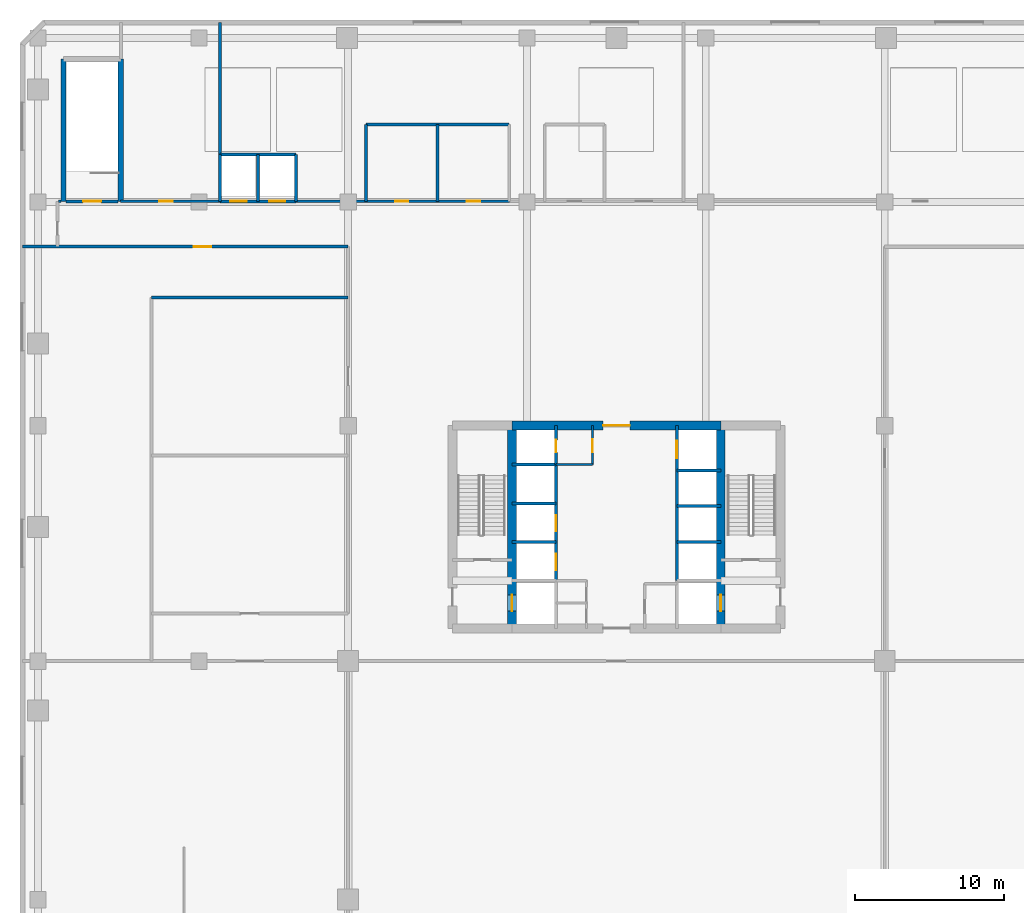
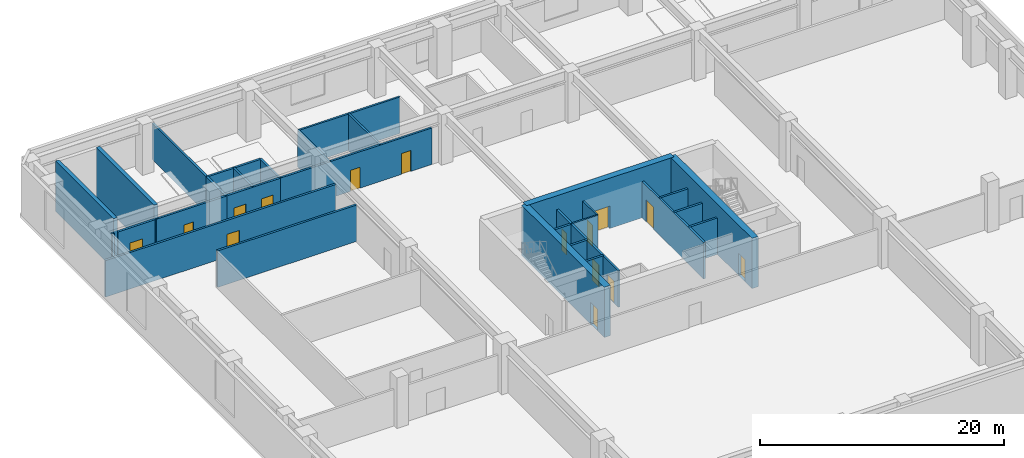
# One storey, part 6 of 12: 31 walls, 15 doors, 15 openings.
"""IFC4 building model written with IfcOpenShell, lengths in metres."""

from ifc_helpers import new_model, si_unit, direction, frame, frame_2d, origin, place, context, subcontext, project, spatial, rectangle, extrude, material, layer, layer_set, type_object, element, fill, save


model = new_model("IFC4")

# Units and contexts
model_context = context("Model", 3, precision=1e-05, world=origin(), true_north=direction((0.0, 1.0)))
body_context = subcontext(model_context, "Body", "Model", "MODEL_VIEW")
ifc_project = project(units=[si_unit("LENGTHUNIT", "METRE"), si_unit("AREAUNIT", "SQUARE_METRE"), si_unit("VOLUMEUNIT", "CUBIC_METRE"), si_unit("PLANEANGLEUNIT", "RADIAN"), si_unit("MASSUNIT", "GRAM", prefix="KILO")], contexts=[model_context])

# Site, building, storey
site_placement = place(None, origin())
site = spatial("IfcSite", under=ifc_project, at=site_placement, CompositionType="ELEMENT")
building_placement = place(site_placement, origin())
building = spatial("IfcBuilding", under=site, at=building_placement, Name="Sarneth Arch Tower", CompositionType="ELEMENT")
storey_placement = place(building_placement, frame((0.0, 0.0, 16.800048828125)))
storey = spatial("IfcBuildingStorey", under=building, at=storey_placement, Name="L03", CompositionType="ELEMENT", Elevation=16.800048828125)

# Walls
ifc_material_1 = material(Name="Concrete C50/60", Category="concrete")
ifc_layer_1 = layer(ifc_material_1, 0.35009765625)
ifc_layer_set_1 = layer_set([ifc_layer_1], Name="Concrete C50/60")
wall_type_1 = type_object("IfcWallType", Name="WALL-CORE-350", PredefinedType="SHEAR", material=ifc_layer_set_1)
for number, where, z_axis, x_axis, name in (
    (1, (10.89990234375, 63.85009765625, 0.0), (0.0, 0.0, 1.0), (0.0, 1.0, 0.0), "L03 Podium stair core wall STP1-W"),
    (2, (14.75, 63.85009765625, 0.0), (0.0, 0.0, 1.0), (0.0, 1.0, 0.0), "L03 Podium stair core wall STP1-E"),
):
    element("IfcWall", number, at=place(storey_placement, frame(where, z_axis=z_axis, x_axis=x_axis)), inside=storey, type_object=wall_type_1, Name=name, PredefinedType="SHEAR", context=body_context, shape_type="SweptSolid", body=[
        extrude(rectangle(XDim=9.5498046875, YDim=0.35009765625, at=frame_2d((4.77490234375, 0.0))), origin(), (0.0, 0.0, 1.0), 5.050048828125),
    ])

# Wall, opening, door
ifc_material_2 = material(Name="Concrete C60/75", Category="concrete")
ifc_layer_2 = layer(ifc_material_2, 0.60009765625)
ifc_layer_set_2 = layer_set([ifc_layer_2], Name="Concrete C60/75")
wall_type_2 = type_object("IfcWallType", Name="WALL-CORE-600", PredefinedType="SHEAR", material=ifc_layer_set_2)
wall_1_placement = place(storey_placement, frame((41.0, 48.800048828125, 0.0), z_axis=(0.0, 0.0, 1.0), x_axis=(1.0, 0.0, 0.0)))
wall_1 = element("IfcWall", 3, at=wall_1_placement, inside=storey, type_object=wall_type_2, Name="L03 Core shear wall N-M", PredefinedType="SHEAR", context=body_context, shape_type="SweptSolid", body=[
    extrude(rectangle(XDim=14.0, YDim=0.60009765625, at=frame_2d((7.0, 0.0))), origin(), (0.0, 0.0, 1.0), 5.050048828125),
])
opening_1_placement = place(wall_1_placement, frame((6.10009765625, 0.0, 0.0)))
opening_1 = element("IfcOpeningElement", 4, at=opening_1_placement, cuts=wall_1, Name="Opening FD-01", PredefinedType="OPENING", context=body_context, shape_type="SweptSolid", body=[
    extrude(rectangle(XDim=1.800048828125, YDim=2.25, at=frame_2d((0.89990234375, 1.125))), frame((0.0, 0.31005859375, 0.0), z_axis=(0.0, -1.0, 0.0), x_axis=(1.0, 0.0, 0.0)), (0.0, 0.0, 1.0), 0.6201171875),
])
ifc_material_3 = material(Name="Galvanised Steel S275 fire door set", Category="steel")
door_type_1 = type_object("IfcDoorType", Name="DR-FD90-1800", OperationType="DOUBLE_DOOR_SINGLE_SWING", PredefinedType="DOOR", material=ifc_material_3)
door_1_placement = place(opening_1_placement, origin())
door_1 = element("IfcDoor", 5, at=door_1_placement, inside=storey, type_object=door_type_1, Name="L03 Central lift lobby north door", OperationType="DOUBLE_DOOR_SINGLE_SWING", OverallHeight=2.25, OverallWidth=1.800048828125, PredefinedType="DOOR", context=body_context, shape_type="SweptSolid", body=[
    extrude(rectangle(XDim=1.800048828125, YDim=2.25, at=frame_2d((0.89990234375, 1.125))), frame((0.0, 0.02490234375, 0.0), z_axis=(0.0, -1.0, 0.0), x_axis=(1.0, 0.0, 0.0)), (0.0, 0.0, 1.0), 0.050048828125),
])
fill(opening_1, door_1)

wall_2_placement = place(storey_placement, frame((41.0, 35.199951171875, 0.0), z_axis=(0.0, 0.0, 1.0), x_axis=(0.0, 1.0, 0.0)))
wall_2 = element("IfcWall", 6, at=wall_2_placement, inside=storey, type_object=wall_type_2, Name="L03 Core shear wall WEB-W", PredefinedType="SHEAR", context=body_context, shape_type="SweptSolid", body=[
    extrude(rectangle(XDim=13.60009765625, YDim=0.60009765625, at=frame_2d((6.800048828125, 0.0))), origin(), (0.0, 0.0, 1.0), 5.050048828125),
])
opening_2_placement = place(wall_2_placement, frame((1.14990234375, 0.0, 0.0)))
opening_2 = element("IfcOpeningElement", 7, at=opening_2_placement, cuts=wall_2, Name="Opening LD-1", PredefinedType="OPENING", context=body_context, shape_type="SweptSolid", body=[
    extrude(rectangle(XDim=1.10009765625, YDim=2.199951171875, at=frame_2d((0.550048828125, 1.10009765625))), frame((0.0, 0.31005859375, 0.0), z_axis=(0.0, -1.0, 0.0), x_axis=(1.0, 0.0, 0.0)), (0.0, 0.0, 1.0), 0.6201171875),
])
ifc_material_4 = material(Name="Brushed Stainless Steel 304 lift landing door", Category="steel")
door_type_2 = type_object("IfcDoorType", Name="DR-LIFT-SLIDE-1100", OperationType="SLIDING_TO_LEFT", PredefinedType="DOOR", material=ifc_material_4)
door_2_placement = place(opening_2_placement, origin())
door_2 = element("IfcDoor", 8, at=door_2_placement, inside=storey, type_object=door_type_2, Name="L03 Firefighting lift landing door FL-1", OperationType="SLIDING_TO_LEFT", OverallHeight=2.199951171875, OverallWidth=1.10009765625, PredefinedType="DOOR", context=body_context, shape_type="SweptSolid", body=[
    extrude(rectangle(XDim=1.10009765625, YDim=2.199951171875, at=frame_2d((0.550048828125, 1.10009765625))), frame((0.0, 0.02490234375, 0.0), z_axis=(0.0, -1.0, 0.0), x_axis=(1.0, 0.0, 0.0)), (0.0, 0.0, 1.0), 0.050048828125),
])
fill(opening_2, door_2)

wall_3_placement = place(storey_placement, frame((55.0, 35.199951171875, 0.0), z_axis=(0.0, 0.0, 1.0), x_axis=(0.0, 1.0, 0.0)))
wall_3 = element("IfcWall", 9, at=wall_3_placement, inside=storey, type_object=wall_type_2, Name="L03 Core shear wall WEB-E", PredefinedType="SHEAR", context=body_context, shape_type="SweptSolid", body=[
    extrude(rectangle(XDim=13.60009765625, YDim=0.60009765625, at=frame_2d((6.800048828125, 0.0))), origin(), (0.0, 0.0, 1.0), 5.050048828125),
])
opening_3_placement = place(wall_3_placement, frame((1.14990234375, 0.0, 0.0)))
opening_3 = element("IfcOpeningElement", 10, at=opening_3_placement, cuts=wall_3, Name="Opening LD-1", PredefinedType="OPENING", context=body_context, shape_type="SweptSolid", body=[
    extrude(rectangle(XDim=1.10009765625, YDim=2.199951171875, at=frame_2d((0.550048828125, 1.10009765625))), frame((0.0, 0.31005859375, 0.0), z_axis=(0.0, -1.0, 0.0), x_axis=(1.0, 0.0, 0.0)), (0.0, 0.0, 1.0), 0.6201171875),
])
door_3_placement = place(opening_3_placement, origin())
door_3 = element("IfcDoor", 11, at=door_3_placement, inside=storey, type_object=door_type_2, Name="L03 Firefighting lift landing door FL-2", OperationType="SLIDING_TO_RIGHT", OverallHeight=2.199951171875, OverallWidth=1.10009765625, PredefinedType="DOOR", context=body_context, shape_type="SweptSolid", body=[
    extrude(rectangle(XDim=1.10009765625, YDim=2.199951171875, at=frame_2d((0.550048828125, 1.10009765625))), frame((0.0, 0.02490234375, 0.0), z_axis=(0.0, -1.0, 0.0), x_axis=(1.0, 0.0, 0.0)), (0.0, 0.0, 1.0), 0.050048828125),
])
fill(opening_3, door_3)

ifc_material_5 = material(Name="Double steel-stud corridor fire wall", Category="steel")
ifc_layer_3 = layer(ifc_material_5, 0.18994140625)
ifc_layer_set_3 = layer_set([ifc_layer_3], Name="Double steel-stud corridor fire wall")
wall_type_3 = type_object("IfcWallType", Name="WALL-CORR-190", PredefinedType="PARTITIONING", material=ifc_layer_set_3)
wall_4_placement = place(storey_placement, frame((14.718017578125, 63.85009765625, 0.0), z_axis=(0.0, 0.0, 1.0), x_axis=(1.0, 0.0, 0.0)))
wall_4 = element("IfcWall", 12, at=wall_4_placement, inside=storey, type_object=wall_type_3, Name="L03 Interior partition W-L03-TP-018", PredefinedType="PARTITIONING", context=body_context, shape_type="SweptSolid", body=[
    extrude(rectangle(XDim=6.7138671875, YDim=0.18994140625, at=frame_2d((3.35693359375, 0.0))), origin(), (0.0, 0.0, 1.0), 3.64990234375),
])
opening_4_placement = place(wall_4_placement, frame((2.60693359375, 0.0, 0.0)))
opening_4 = element("IfcOpeningElement", 13, at=opening_4_placement, cuts=wall_4, Name="Opening FD-10", PredefinedType="OPENING", context=body_context, shape_type="SweptSolid", body=[
    extrude(rectangle(XDim=0.89990234375, YDim=2.14990234375, at=frame_2d((0.449951171875, 1.074951171875))), frame((0.0, 0.10498046875, 0.0), z_axis=(0.0, -1.0, 0.0), x_axis=(1.0, 0.0, 0.0)), (0.0, 0.0, 1.0), 0.2099609375),
])
ifc_material_6 = material(Name="Galvanised Steel S275 riser/service fire door", Category="steel")
door_type_3 = type_object("IfcDoorType", Name="DR-FD60-900", OperationType="SINGLE_SWING_LEFT", PredefinedType="DOOR", material=ifc_material_6)
door_4_placement = place(opening_4_placement, origin())
door_4 = element("IfcDoor", 14, at=door_4_placement, inside=storey, type_object=door_type_3, Name="L03 Interior door DR-L03-STRW", OperationType="SINGLE_SWING_RIGHT", OverallHeight=2.14990234375, OverallWidth=0.89990234375, PredefinedType="DOOR", context=body_context, shape_type="SweptSolid", body=[
    extrude(rectangle(XDim=0.89990234375, YDim=2.14990234375, at=frame_2d((0.449951171875, 1.074951171875))), frame((0.0, 0.02490234375, 0.0), z_axis=(0.0, -1.0, 0.0), x_axis=(1.0, 0.0, 0.0)), (0.0, 0.0, 1.0), 0.050048828125),
])
fill(opening_4, door_4)

# Wall, openings, doors
wall_5_placement = place(storey_placement, frame((26.468017578125, 63.85009765625, 0.0), z_axis=(0.0, 0.0, 1.0), x_axis=(1.0, 0.0, 0.0)))
wall_5 = element("IfcWall", 15, at=wall_5_placement, inside=storey, type_object=wall_type_3, Name="L03 Interior partition W-L03-TP-011", PredefinedType="PARTITIONING", context=body_context, shape_type="SweptSolid", body=[
    extrude(rectangle(XDim=14.364013671875, YDim=0.18994140625, at=frame_2d((7.18212890625, 0.0))), origin(), (0.0, 0.0, 1.0), 3.64990234375),
])
opening_5_placement = place(wall_5_placement, frame((6.681884765625, 0.0, 0.0)))
opening_5 = element("IfcOpeningElement", 16, at=opening_5_placement, cuts=wall_5, Name="Opening ID-01", PredefinedType="OPENING", context=body_context, shape_type="SweptSolid", body=[
    extrude(rectangle(XDim=0.89990234375, YDim=2.10009765625, at=frame_2d((0.449951171875, 1.050048828125))), frame((0.0, 0.10498046875, 0.0), z_axis=(0.0, -1.0, 0.0), x_axis=(1.0, 0.0, 0.0)), (0.0, 0.0, 1.0), 0.2099609375),
])
opening_6_placement = place(wall_5_placement, frame((11.48193359375, 0.0, 0.0)))
opening_6 = element("IfcOpeningElement", 17, at=opening_6_placement, cuts=wall_5, Name="Opening ID-01", PredefinedType="OPENING", context=body_context, shape_type="SweptSolid", body=[
    extrude(rectangle(XDim=0.89990234375, YDim=2.10009765625, at=frame_2d((0.449951171875, 1.050048828125))), frame((0.0, 0.10498046875, 0.0), z_axis=(0.0, -1.0, 0.0), x_axis=(1.0, 0.0, 0.0)), (0.0, 0.0, 1.0), 0.2099609375),
])
ifc_material_7 = material(Name="Engineered hardwood flush door", Category="wood")
door_type_4 = type_object("IfcDoorType", Name="DR-INT-900", OperationType="SINGLE_SWING_LEFT", PredefinedType="DOOR", material=ifc_material_7)
door_5_placement = place(opening_5_placement, origin())
door_5 = element("IfcDoor", 18, at=door_5_placement, inside=storey, type_object=door_type_4, Name="L03 Interior door DR-L03-WCM", OperationType="SINGLE_SWING_LEFT", OverallHeight=2.10009765625, OverallWidth=0.89990234375, PredefinedType="DOOR", context=body_context, shape_type="SweptSolid", body=[
    extrude(rectangle(XDim=0.89990234375, YDim=2.10009765625, at=frame_2d((0.449951171875, 1.050048828125))), frame((0.0, 0.02490234375, 0.0), z_axis=(0.0, -1.0, 0.0), x_axis=(1.0, 0.0, 0.0)), (0.0, 0.0, 1.0), 0.050048828125),
])
fill(opening_5, door_5)
door_6_placement = place(opening_6_placement, origin())
door_6 = element("IfcDoor", 19, at=door_6_placement, inside=storey, type_object=door_type_4, Name="L03 Interior door DR-L03-WCW", OperationType="SINGLE_SWING_RIGHT", OverallHeight=2.10009765625, OverallWidth=0.89990234375, PredefinedType="DOOR", context=body_context, shape_type="SweptSolid", body=[
    extrude(rectangle(XDim=0.89990234375, YDim=2.10009765625, at=frame_2d((0.449951171875, 1.050048828125))), frame((0.0, 0.02490234375, 0.0), z_axis=(0.0, -1.0, 0.0), x_axis=(1.0, 0.0, 0.0)), (0.0, 0.0, 1.0), 0.050048828125),
])
fill(opening_6, door_6)

# Walls
wall_6_placement = place(storey_placement, frame((10.580078125, 63.85009765625, 0.0), z_axis=(0.0, 0.0, 1.0), x_axis=(1.0, 0.0, 0.0)))
element("IfcWall", 20, at=wall_6_placement, inside=storey, type_object=wall_type_3, Name="L03 Interior partition W-L03-TP-020", PredefinedType="PARTITIONING", context=body_context, shape_type="SweptSolid", body=[
    extrude(rectangle(XDim=0.159912109375, YDim=0.18994140625, at=frame_2d((0.080078125, 0.0))), origin(), (0.0, 0.0, 1.0), 3.64990234375),
])
ifc_material_8 = material(Name="Acoustic gypsum stud partition", Category="gypsum")
ifc_layer_4 = layer(ifc_material_8, 0.14990234375)
ifc_layer_set_4 = layer_set([ifc_layer_4], Name="Acoustic gypsum stud partition")
wall_type_4 = type_object("IfcWallType", Name="WALL-PART-150", PredefinedType="PARTITIONING", material=ifc_layer_set_4)
wall_7_placement = place(storey_placement, frame((43.949951171875, 46.199951171875, 0.0), z_axis=(0.0, 0.0, 1.0), x_axis=(1.0, 0.0, 0.0)))
element("IfcWall", 21, at=wall_7_placement, inside=storey, type_object=wall_type_4, Name="L03 Interior partition W-L03-CSUP3-S", PredefinedType="PARTITIONING", context=body_context, shape_type="SweptSolid", body=[
    extrude(rectangle(XDim=2.449951171875, YDim=0.14990234375, at=frame_2d((1.22509765625, 0.0))), origin(), (0.0, 0.0, 1.0), 3.64990234375),
])

# Wall, opening, door
wall_8_placement = place(storey_placement, frame((46.39990234375, 46.199951171875, 0.0), z_axis=(0.0, 0.0, 1.0), x_axis=(0.0, 1.0, 0.0)))
wall_8 = element("IfcWall", 22, at=wall_8_placement, inside=storey, type_object=wall_type_4, Name="L03 Interior partition W-L03-CSUP3-E", PredefinedType="PARTITIONING", context=body_context, shape_type="SweptSolid", body=[
    extrude(rectangle(XDim=2.60009765625, YDim=0.14990234375, at=frame_2d((1.300048828125, 0.0))), origin(), (0.0, 0.0, 1.0), 3.64990234375),
])
opening_7_placement = place(wall_8_placement, frame((0.800048828125, 0.0, 0.0)))
opening_7 = element("IfcOpeningElement", 23, at=opening_7_placement, cuts=wall_8, Name="Opening FD-10", PredefinedType="OPENING", context=body_context, shape_type="SweptSolid", body=[
    extrude(rectangle(XDim=0.89990234375, YDim=2.14990234375, at=frame_2d((0.449951171875, 1.074951171875))), frame((0.0, 0.0849609375, 0.0), z_axis=(0.0, -1.0, 0.0), x_axis=(1.0, 0.0, 0.0)), (0.0, 0.0, 1.0), 0.169921875),
])
door_7_placement = place(opening_7_placement, origin())
door_7 = element("IfcDoor", 24, at=door_7_placement, inside=storey, type_object=door_type_3, Name="L03 Interior door DR-L03-CSUP3", OperationType="SINGLE_SWING_LEFT", OverallHeight=2.14990234375, OverallWidth=0.89990234375, PredefinedType="DOOR", context=body_context, shape_type="SweptSolid", body=[
    extrude(rectangle(XDim=0.89990234375, YDim=2.14990234375, at=frame_2d((0.449951171875, 1.074951171875))), frame((0.0, 0.02490234375, 0.0), z_axis=(0.0, -1.0, 0.0), x_axis=(1.0, 0.0, 0.0)), (0.0, 0.0, 1.0), 0.050048828125),
])
fill(opening_7, door_7)

# Walls
ifc_material_9 = material(Name="Moisture-resistant plumbing chase wall", Category="gypsum")
ifc_layer_5 = layer(ifc_material_9, 0.179931640625)
ifc_layer_set_5 = layer_set([ifc_layer_5], Name="Moisture-resistant plumbing chase wall")
wall_type_5 = type_object("IfcWallType", Name="WALL-PLUMB-180", PredefinedType="PLUMBINGWALL", material=ifc_layer_set_5)
for number, where, z_axis, x_axis, name in (
    (25, (36.0, 69.0, 0.0), (0.0, 0.0, 1.0), (0.0, -1.0, 0.0), "L03 Interior partition W-L03-TP-034"),
    (26, (31.199951171875, 63.85009765625, 0.0), (0.0, 0.0, 1.0), (0.0, 1.0, 0.0), "L03 Interior partition W-L03-TP-035"),
):
    element("IfcWall", number, at=place(storey_placement, frame(where, z_axis=z_axis, x_axis=x_axis)), inside=storey, type_object=wall_type_5, Name=name, PredefinedType="PLUMBINGWALL", context=body_context, shape_type="SweptSolid", body=[
        extrude(rectangle(XDim=5.14990234375, YDim=0.179931640625, at=frame_2d((2.574951171875, 0.0))), origin(), (0.0, 0.0, 1.0), 3.64990234375),
    ])
wall_9_placement = place(storey_placement, frame((31.199951171875, 69.0, 0.0), z_axis=(0.0, 0.0, 1.0), x_axis=(1.0, 0.0, 0.0)))
element("IfcWall", 27, at=wall_9_placement, inside=storey, type_object=wall_type_5, Name="L03 Interior partition W-L03-TP-036", PredefinedType="PLUMBINGWALL", context=body_context, shape_type="SweptSolid", body=[
    extrude(rectangle(XDim=9.60009765625, YDim=0.179931640625, at=frame_2d((4.800048828125, 0.0))), origin(), (0.0, 0.0, 1.0), 3.64990234375),
])
ifc_material_10 = material(Name="Aerated concrete blockwork C25/30", Category="masonry")
ifc_layer_6 = layer(ifc_material_10, 0.199951171875)
ifc_layer_set_6 = layer_set([ifc_layer_6], Name="Aerated concrete blockwork C25/30")
wall_type_6 = type_object("IfcWallType", Name="WALL-SHAFT-200", PredefinedType="SOLIDWALL", material=ifc_layer_set_6)
wall_10_placement = place(storey_placement, frame((41.0, 46.199951171875, 0.0), z_axis=(0.0, 0.0, 1.0), x_axis=(1.0, 0.0, 0.0)))
element("IfcWall", 28, at=wall_10_placement, inside=storey, type_object=wall_type_6, Name="L03 Interior partition W-L03-RISER-S", PredefinedType="SOLIDWALL", context=body_context, shape_type="SweptSolid", body=[
    extrude(rectangle(XDim=2.949951171875, YDim=0.199951171875, at=frame_2d((1.47509765625, 0.0))), origin(), (0.0, 0.0, 1.0), 3.64990234375),
])

# Wall, opening, door
wall_11_placement = place(storey_placement, frame((43.949951171875, 46.199951171875, 0.0), z_axis=(0.0, 0.0, 1.0), x_axis=(0.0, 1.0, 0.0)))
wall_11 = element("IfcWall", 29, at=wall_11_placement, inside=storey, type_object=wall_type_6, Name="L03 Interior partition W-L03-RISER-E", PredefinedType="SOLIDWALL", context=body_context, shape_type="SweptSolid", body=[
    extrude(rectangle(XDim=2.60009765625, YDim=0.199951171875, at=frame_2d((1.300048828125, 0.0))), origin(), (0.0, 0.0, 1.0), 3.64990234375),
])
opening_8_placement = place(wall_11_placement, frame((0.800048828125, 0.0, 0.0)))
opening_8 = element("IfcOpeningElement", 30, at=opening_8_placement, cuts=wall_11, Name="Opening FD-11", PredefinedType="OPENING", context=body_context, shape_type="SweptSolid", body=[
    extrude(rectangle(XDim=0.85009765625, YDim=2.14990234375, at=frame_2d((0.425048828125, 1.074951171875))), frame((0.0, 0.10986328125, 0.0), z_axis=(0.0, -1.0, 0.0), x_axis=(1.0, 0.0, 0.0)), (0.0, 0.0, 1.0), 0.219970703125),
])
ifc_material_11 = material(Name="Galvanised Steel S275 closet fire door", Category="steel")
door_type_5 = type_object("IfcDoorType", Name="DR-FD60-850", OperationType="SINGLE_SWING_LEFT", PredefinedType="DOOR", material=ifc_material_11)
door_8_placement = place(opening_8_placement, origin())
door_8 = element("IfcDoor", 31, at=door_8_placement, inside=storey, type_object=door_type_5, Name="L03 Lift landing door DR-L03-RISER", OperationType="SINGLE_SWING_LEFT", OverallHeight=2.14990234375, OverallWidth=0.85009765625, PredefinedType="DOOR", context=body_context, shape_type="SweptSolid", body=[
    extrude(rectangle(XDim=0.85009765625, YDim=2.14990234375, at=frame_2d((0.425048828125, 1.074951171875))), frame((0.0, 0.02490234375, 0.0), z_axis=(0.0, -1.0, 0.0), x_axis=(1.0, 0.0, 0.0)), (0.0, 0.0, 1.0), 0.050048828125),
])
fill(opening_8, door_8)

# Wall, openings, doors
wall_12_placement = place(storey_placement, frame((43.949951171875, 38.39990234375, 0.0), z_axis=(0.0, 0.0, 1.0), x_axis=(0.0, 1.0, 0.0)))
wall_12 = element("IfcWall", 32, at=wall_12_placement, inside=storey, type_object=wall_type_6, Name="L03 Interior partition W-L03-WESTBANK-FRONT", PredefinedType="SOLIDWALL", context=body_context, shape_type="SweptSolid", body=[
    extrude(rectangle(XDim=7.800048828125, YDim=0.199951171875, at=frame_2d((3.89990234375, 0.0))), origin(), (0.0, 0.0, 1.0), 3.64990234375),
])
opening_9_placement = place(wall_12_placement, frame((0.699951171875, 0.0, 0.0)))
opening_9 = element("IfcOpeningElement", 33, at=opening_9_placement, cuts=wall_12, Name="Opening LD-1", PredefinedType="OPENING", context=body_context, shape_type="SweptSolid", body=[
    extrude(rectangle(XDim=1.10009765625, YDim=2.199951171875, at=frame_2d((0.550048828125, 1.10009765625))), frame((0.0, 0.10986328125, 0.0), z_axis=(0.0, -1.0, 0.0), x_axis=(1.0, 0.0, 0.0)), (0.0, 0.0, 1.0), 0.219970703125),
])
opening_10_placement = place(wall_12_placement, frame((3.300048828125, 0.0, 0.0)))
opening_10 = element("IfcOpeningElement", 34, at=opening_10_placement, cuts=wall_12, Name="Opening LD-1", PredefinedType="OPENING", context=body_context, shape_type="SweptSolid", body=[
    extrude(rectangle(XDim=1.10009765625, YDim=2.199951171875, at=frame_2d((0.550048828125, 1.10009765625))), frame((0.0, 0.10986328125, 0.0), z_axis=(0.0, -1.0, 0.0), x_axis=(1.0, 0.0, 0.0)), (0.0, 0.0, 1.0), 0.219970703125),
])
door_9_placement = place(opening_9_placement, origin())
door_9 = element("IfcDoor", 35, at=door_9_placement, inside=storey, type_object=door_type_2, Name="L03 Lift landing door DR-L03-LD-PL1", OperationType="SLIDING_TO_LEFT", OverallHeight=2.199951171875, OverallWidth=1.10009765625, PredefinedType="DOOR", context=body_context, shape_type="SweptSolid", body=[
    extrude(rectangle(XDim=1.10009765625, YDim=2.199951171875, at=frame_2d((0.550048828125, 1.10009765625))), frame((0.0, 0.02490234375, 0.0), z_axis=(0.0, -1.0, 0.0), x_axis=(1.0, 0.0, 0.0)), (0.0, 0.0, 1.0), 0.050048828125),
])
fill(opening_9, door_9)
door_10_placement = place(opening_10_placement, origin())
door_10 = element("IfcDoor", 36, at=door_10_placement, inside=storey, type_object=door_type_2, Name="L03 Lift landing door DR-L03-LD-PL2", OperationType="SLIDING_TO_RIGHT", OverallHeight=2.199951171875, OverallWidth=1.10009765625, PredefinedType="DOOR", context=body_context, shape_type="SweptSolid", body=[
    extrude(rectangle(XDim=1.10009765625, YDim=2.199951171875, at=frame_2d((0.550048828125, 1.10009765625))), frame((0.0, 0.02490234375, 0.0), z_axis=(0.0, -1.0, 0.0), x_axis=(1.0, 0.0, 0.0)), (0.0, 0.0, 1.0), 0.050048828125),
])
fill(opening_10, door_10)

# Walls
for number, where, z_axis, x_axis, name in (
    (37, (41.0, 40.97998046875, 0.0), (0.0, 0.0, 1.0), (1.0, 0.0, 0.0), "L03 Interior partition W-L03-WB-DIV-4098"),
    (38, (41.0, 43.580078125, 0.0), (0.0, 0.0, 1.0), (1.0, 0.0, 0.0), "L03 Interior partition W-L03-WB-DIV-4358"),
):
    element("IfcWall", number, at=place(storey_placement, frame(where, z_axis=z_axis, x_axis=x_axis)), inside=storey, type_object=wall_type_6, Name=name, PredefinedType="SOLIDWALL", context=body_context, shape_type="SweptSolid", body=[
        extrude(rectangle(XDim=2.949951171875, YDim=0.199951171875, at=frame_2d((1.47509765625, 0.0))), origin(), (0.0, 0.0, 1.0), 3.64990234375),
    ])

# Wall, opening, door
wall_13_placement = place(storey_placement, frame((52.050048828125, 38.39990234375, 0.0), z_axis=(0.0, 0.0, 1.0), x_axis=(0.0, 1.0, 0.0)))
wall_13 = element("IfcWall", 39, at=wall_13_placement, inside=storey, type_object=wall_type_6, Name="L03 Interior partition W-L03-EASTBANK-FRONT", PredefinedType="SOLIDWALL", context=body_context, shape_type="SweptSolid", body=[
    extrude(rectangle(XDim=10.400146484375, YDim=0.199951171875, at=frame_2d((5.2001953125, 0.0))), origin(), (0.0, 0.0, 1.0), 3.64990234375),
])
opening_11_placement = place(wall_13_placement, frame((8.199951171875, 0.0, 0.0)))
opening_11 = element("IfcOpeningElement", 40, at=opening_11_placement, cuts=wall_13, Name="Opening LD-2", PredefinedType="OPENING", context=body_context, shape_type="SweptSolid", body=[
    extrude(rectangle(XDim=1.199951171875, YDim=2.199951171875, at=frame_2d((0.60009765625, 1.10009765625))), frame((0.0, 0.10986328125, 0.0), z_axis=(0.0, -1.0, 0.0), x_axis=(1.0, 0.0, 0.0)), (0.0, 0.0, 1.0), 0.219970703125),
])
ifc_material_12 = material(Name="Brushed Stainless Steel 304 service lift door", Category="steel")
door_type_6 = type_object("IfcDoorType", Name="DR-LIFT-SLIDE-1200", OperationType="SLIDING_TO_RIGHT", PredefinedType="DOOR", material=ifc_material_12)
door_11_placement = place(opening_11_placement, origin())
door_11 = element("IfcDoor", 41, at=door_11_placement, inside=storey, type_object=door_type_6, Name="L03 Lift landing door DR-L03-LD-SL1", OperationType="SLIDING_TO_RIGHT", OverallHeight=2.199951171875, OverallWidth=1.199951171875, PredefinedType="DOOR", context=body_context, shape_type="SweptSolid", body=[
    extrude(rectangle(XDim=1.199951171875, YDim=2.199951171875, at=frame_2d((0.60009765625, 1.10009765625))), frame((0.0, 0.02490234375, 0.0), z_axis=(0.0, -1.0, 0.0), x_axis=(1.0, 0.0, 0.0)), (0.0, 0.0, 1.0), 0.050048828125),
])
fill(opening_11, door_11)

# Walls
for number, where, z_axis, x_axis, name in (
    (42, (52.050048828125, 40.97998046875, 0.0), (0.0, 0.0, 1.0), (1.0, 0.0, 0.0), "L03 Interior partition W-L03-EB-DIV-4098"),
    (43, (52.050048828125, 43.419921875, 0.0), (0.0, 0.0, 1.0), (1.0, 0.0, 0.0), "L03 Interior partition W-L03-EB-DIV-4342"),
    (44, (52.050048828125, 45.800048828125, 0.0), (0.0, 0.0, 1.0), (1.0, 0.0, 0.0), "L03 Interior partition W-L03-EB-DIV-4580"),
):
    element("IfcWall", number, at=place(storey_placement, frame(where, z_axis=z_axis, x_axis=x_axis)), inside=storey, type_object=wall_type_6, Name=name, PredefinedType="SOLIDWALL", context=body_context, shape_type="SweptSolid", body=[
        extrude(rectangle(XDim=2.949951171875, YDim=0.199951171875, at=frame_2d((1.47509765625, 0.0))), origin(), (0.0, 0.0, 1.0), 3.64990234375),
    ])

# Wall, opening, door
wall_14_placement = place(storey_placement, frame((11.080078125, 63.85009765625, 0.0), z_axis=(0.0, 0.0, 1.0), x_axis=(1.0, 0.0, 0.0)))
wall_14 = element("IfcWall", 45, at=wall_14_placement, inside=storey, type_object=wall_type_6, Name="L03 Interior partition W-L03-STP1-S", PredefinedType="SOLIDWALL", context=body_context, shape_type="SweptSolid", body=[
    extrude(rectangle(XDim=3.489990234375, YDim=0.199951171875, at=frame_2d((1.7451171875, 0.0))), origin(), (0.0, 0.0, 1.0), 3.64990234375),
])
opening_12_placement = place(wall_14_placement, frame((1.14990234375, 0.0, 0.0)))
opening_12 = element("IfcOpeningElement", 46, at=opening_12_placement, cuts=wall_14, Name="Opening FD-02", PredefinedType="OPENING", context=body_context, shape_type="SweptSolid", body=[
    extrude(rectangle(XDim=1.199951171875, YDim=2.14990234375, at=frame_2d((0.60009765625, 1.074951171875))), frame((0.0, 0.10986328125, 0.0), z_axis=(0.0, -1.0, 0.0), x_axis=(1.0, 0.0, 0.0)), (0.0, 0.0, 1.0), 0.219970703125),
])
ifc_material_13 = material(Name="Galvanised Steel S275 fire door set", Category="steel")
door_type_7 = type_object("IfcDoorType", Name="DR-FD90-1200", OperationType="SINGLE_SWING_LEFT", PredefinedType="DOOR", material=ifc_material_13)
door_12_placement = place(opening_12_placement, origin())
door_12 = element("IfcDoor", 47, at=door_12_placement, inside=storey, type_object=door_type_7, Name="L03 Interior door DR-L03-STP1", OperationType="SINGLE_SWING_LEFT", OverallHeight=2.14990234375, OverallWidth=1.199951171875, PredefinedType="DOOR", context=body_context, shape_type="SweptSolid", body=[
    extrude(rectangle(XDim=1.199951171875, YDim=2.14990234375, at=frame_2d((0.60009765625, 1.074951171875))), frame((0.0, 0.02490234375, 0.0), z_axis=(0.0, -1.0, 0.0), x_axis=(1.0, 0.0, 0.0)), (0.0, 0.0, 1.0), 0.050048828125),
])
fill(opening_12, door_12)

# Walls
for number, where, z_axis, x_axis, name in (
    (48, (21.39990234375, 63.85009765625, 0.0), (0.0, 0.0, 1.0), (0.0, 1.0, 0.0), "L03 Interior partition W-L03-PP-W"),
    (49, (26.5, 63.85009765625, 0.0), (0.0, 0.0, 1.0), (0.0, 1.0, 0.0), "L03 Interior partition W-L03-PP-E"),
):
    element("IfcWall", number, at=place(storey_placement, frame(where, z_axis=z_axis, x_axis=x_axis)), inside=storey, type_object=wall_type_6, Name=name, PredefinedType="SOLIDWALL", context=body_context, shape_type="SweptSolid", body=[
        extrude(rectangle(XDim=3.14990234375, YDim=0.199951171875, at=frame_2d((1.574951171875, 0.0))), origin(), (0.0, 0.0, 1.0), 3.64990234375),
    ])
wall_15_placement = place(storey_placement, frame((21.39990234375, 67.0, 0.0), z_axis=(0.0, 0.0, 1.0), x_axis=(1.0, 0.0, 0.0)))
element("IfcWall", 50, at=wall_15_placement, inside=storey, type_object=wall_type_6, Name="L03 Interior partition W-L03-PP-N", PredefinedType="SOLIDWALL", context=body_context, shape_type="SweptSolid", body=[
    extrude(rectangle(XDim=5.10009765625, YDim=0.199951171875, at=frame_2d((2.550048828125, 0.0))), origin(), (0.0, 0.0, 1.0), 3.64990234375),
])
wall_16_placement = place(storey_placement, frame((23.949951171875, 63.85009765625, 0.0), z_axis=(0.0, 0.0, 1.0), x_axis=(0.0, 1.0, 0.0)))
element("IfcWall", 51, at=wall_16_placement, inside=storey, type_object=wall_type_6, Name="L03 Interior partition W-L03-PP-M", PredefinedType="SOLIDWALL", context=body_context, shape_type="SweptSolid", body=[
    extrude(rectangle(XDim=3.14990234375, YDim=0.199951171875, at=frame_2d((1.574951171875, 0.0))), origin(), (0.0, 0.0, 1.0), 3.64990234375),
])

# Wall, openings, doors
wall_17_placement = place(storey_placement, frame((21.39990234375, 63.85009765625, 0.0), z_axis=(0.0, 0.0, 1.0), x_axis=(1.0, 0.0, 0.0)))
wall_17 = element("IfcWall", 52, at=wall_17_placement, inside=storey, type_object=wall_type_6, Name="L03 Interior partition W-L03-PP-S", PredefinedType="SOLIDWALL", context=body_context, shape_type="SweptSolid", body=[
    extrude(rectangle(XDim=5.10009765625, YDim=0.199951171875, at=frame_2d((2.550048828125, 0.0))), origin(), (0.0, 0.0, 1.0), 3.64990234375),
])
opening_13_placement = place(wall_17_placement, frame((0.699951171875, 0.0, 0.0)))
opening_13 = element("IfcOpeningElement", 53, at=opening_13_placement, cuts=wall_17, Name="Opening LD-1", PredefinedType="OPENING", context=body_context, shape_type="SweptSolid", body=[
    extrude(rectangle(XDim=1.10009765625, YDim=2.199951171875, at=frame_2d((0.550048828125, 1.10009765625))), frame((0.0, 0.10986328125, 0.0), z_axis=(0.0, -1.0, 0.0), x_axis=(1.0, 0.0, 0.0)), (0.0, 0.0, 1.0), 0.219970703125),
])
opening_14_placement = place(wall_17_placement, frame((3.300048828125, 0.0, 0.0)))
opening_14 = element("IfcOpeningElement", 54, at=opening_14_placement, cuts=wall_17, Name="Opening LD-1", PredefinedType="OPENING", context=body_context, shape_type="SweptSolid", body=[
    extrude(rectangle(XDim=1.10009765625, YDim=2.199951171875, at=frame_2d((0.550048828125, 1.10009765625))), frame((0.0, 0.10986328125, 0.0), z_axis=(0.0, -1.0, 0.0), x_axis=(1.0, 0.0, 0.0)), (0.0, 0.0, 1.0), 0.219970703125),
])
door_13_placement = place(opening_13_placement, origin())
door_13 = element("IfcDoor", 55, at=door_13_placement, inside=storey, type_object=door_type_2, Name="L03 Lift landing door DR-L03-LD-PP1", OperationType="SLIDING_TO_LEFT", OverallHeight=2.199951171875, OverallWidth=1.10009765625, PredefinedType="DOOR", context=body_context, shape_type="SweptSolid", body=[
    extrude(rectangle(XDim=1.10009765625, YDim=2.199951171875, at=frame_2d((0.550048828125, 1.10009765625))), frame((0.0, 0.02490234375, 0.0), z_axis=(0.0, -1.0, 0.0), x_axis=(1.0, 0.0, 0.0)), (0.0, 0.0, 1.0), 0.050048828125),
])
fill(opening_13, door_13)
door_14_placement = place(opening_14_placement, origin())
door_14 = element("IfcDoor", 56, at=door_14_placement, inside=storey, type_object=door_type_2, Name="L03 Lift landing door DR-L03-LD-PP2", OperationType="SLIDING_TO_RIGHT", OverallHeight=2.199951171875, OverallWidth=1.10009765625, PredefinedType="DOOR", context=body_context, shape_type="SweptSolid", body=[
    extrude(rectangle(XDim=1.10009765625, YDim=2.199951171875, at=frame_2d((0.550048828125, 1.10009765625))), frame((0.0, 0.02490234375, 0.0), z_axis=(0.0, -1.0, 0.0), x_axis=(1.0, 0.0, 0.0)), (0.0, 0.0, 1.0), 0.050048828125),
])
fill(opening_14, door_14)

# Wall, opening, door
ifc_material_14 = material(Name="Double steel-stud acoustic drywall", Category="steel")
ifc_layer_7 = layer(ifc_material_14, 0.199951171875)
ifc_layer_set_7 = layer_set([ifc_layer_7], Name="Double steel-stud acoustic drywall")
wall_type_7 = type_object("IfcWallType", Name="WALL-UNIT-200", PredefinedType="PARTITIONING", material=ifc_layer_set_7)
wall_18_placement = place(storey_placement, frame((8.14990234375, 60.800048828125, 0.0), z_axis=(0.0, 0.0, 1.0), x_axis=(1.0, 0.0, 0.0)))
wall_18 = element("IfcWall", 57, at=wall_18_placement, inside=storey, type_object=wall_type_7, Name="L03 Interior partition W-L03-TP-006", PredefinedType="PARTITIONING", context=body_context, shape_type="SweptSolid", body=[
    extrude(rectangle(XDim=21.85009765625, YDim=0.199951171875, at=frame_2d((10.925048828125, 0.0))), origin(), (0.0, 0.0, 1.0), 3.64990234375),
])
opening_15_placement = place(wall_18_placement, frame((11.48388671875, 0.0, 0.0)))
opening_15 = element("IfcOpeningElement", 58, at=opening_15_placement, cuts=wall_18, Name="Opening FD-06", PredefinedType="OPENING", context=body_context, shape_type="SweptSolid", body=[
    extrude(rectangle(XDim=1.199951171875, YDim=2.25, at=frame_2d((0.60009765625, 1.125))), frame((0.0, 0.10986328125, 0.0), z_axis=(0.0, -1.0, 0.0), x_axis=(1.0, 0.0, 0.0)), (0.0, 0.0, 1.0), 0.219970703125),
])
ifc_material_15 = material(Name="Hardwood timber acoustic fire door", Category="wood")
door_type_8 = type_object("IfcDoorType", Name="DR-FD60-1200", OperationType="SINGLE_SWING_LEFT", PredefinedType="DOOR", material=ifc_material_15)
door_15_placement = place(opening_15_placement, origin())
door_15 = element("IfcDoor", 59, at=door_15_placement, inside=storey, type_object=door_type_8, Name="L03 Interior door DR-L03-VIPL", OperationType="SINGLE_SWING_RIGHT", OverallHeight=2.25, OverallWidth=1.199951171875, PredefinedType="DOOR", context=body_context, shape_type="SweptSolid", body=[
    extrude(rectangle(XDim=1.199951171875, YDim=2.25, at=frame_2d((0.60009765625, 1.125))), frame((0.0, 0.02490234375, 0.0), z_axis=(0.0, -1.0, 0.0), x_axis=(1.0, 0.0, 0.0)), (0.0, 0.0, 1.0), 0.050048828125),
])
fill(opening_15, door_15)

# Walls
wall_19_placement = place(storey_placement, frame((16.800048828125, 57.39990234375, 0.0), z_axis=(0.0, 0.0, 1.0), x_axis=(1.0, 0.0, 0.0)))
element("IfcWall", 60, at=wall_19_placement, inside=storey, type_object=wall_type_7, Name="L03 Interior partition W-L03-TP-031", PredefinedType="PARTITIONING", context=body_context, shape_type="SweptSolid", body=[
    extrude(rectangle(XDim=13.199951171875, YDim=0.199951171875, at=frame_2d((6.60009765625, 0.0))), origin(), (0.0, 0.0, 1.0), 3.64990234375),
])
wall_20_placement = place(storey_placement, frame((21.39990234375, 67.0, 0.0), z_axis=(0.0, 0.0, 1.0), x_axis=(0.0, 1.0, 0.0)))
element("IfcWall", 61, at=wall_20_placement, inside=storey, type_object=wall_type_7, Name="L03 Interior partition W-L03-TP-043", PredefinedType="PARTITIONING", context=body_context, shape_type="SweptSolid", body=[
    extrude(rectangle(XDim=8.85009765625, YDim=0.199951171875, at=frame_2d((4.425048828125, 0.0))), origin(), (0.0, 0.0, 1.0), 3.64990234375),
])

save(model, "model.ifc")
